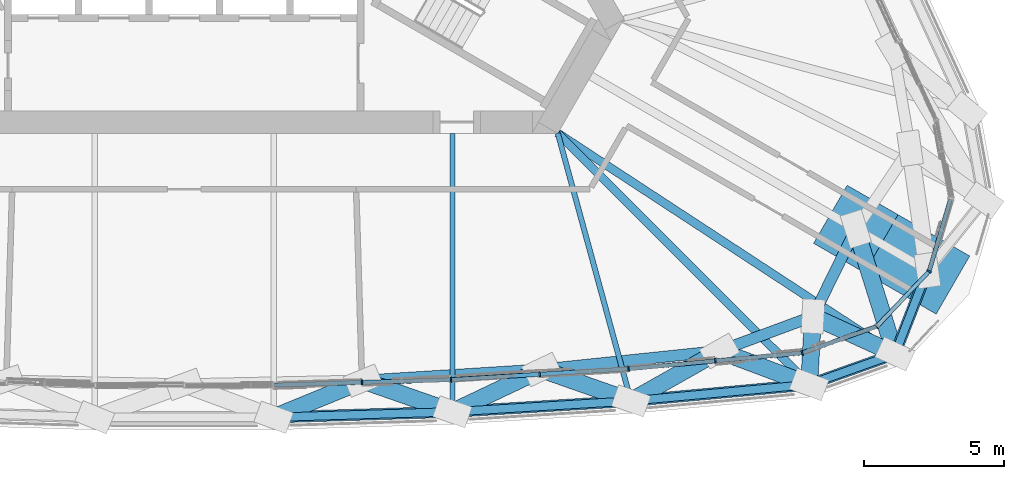
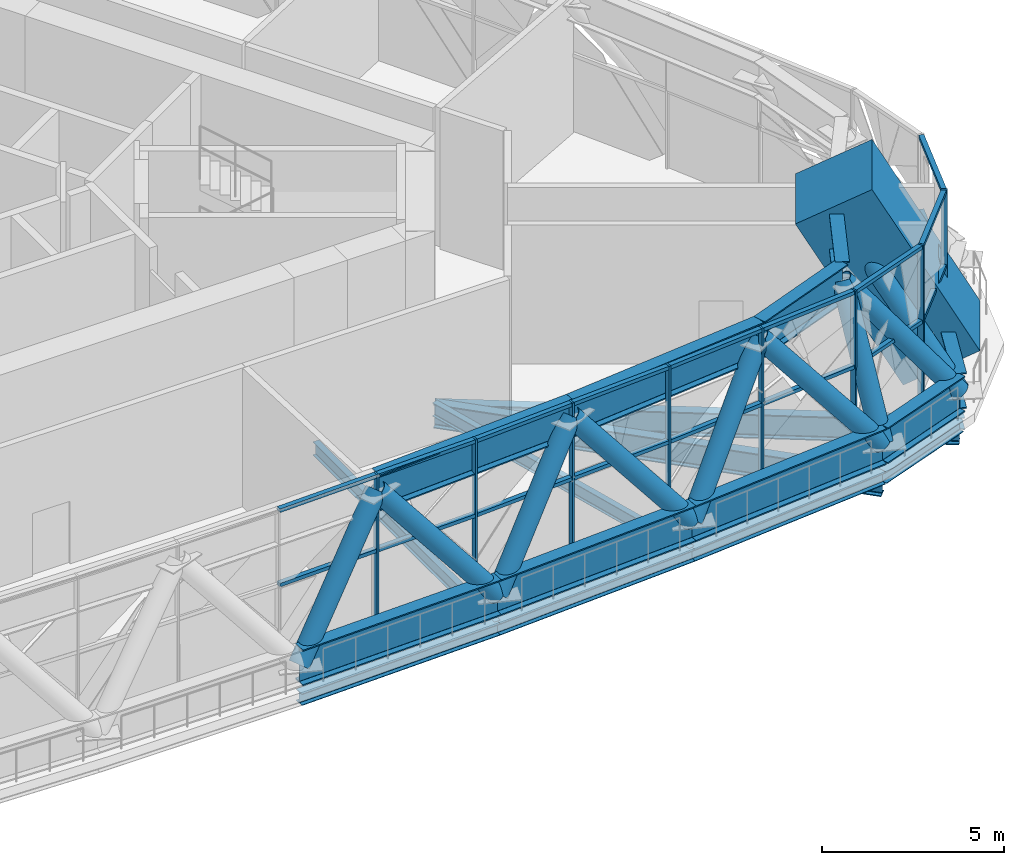
# One storey, part 5 of 35: 45 members, 9 beams, 2 elements without a shape of their own.
"""IFC4 building model written with IfcOpenShell, lengths in metres."""

from ifc_helpers import new_model, si_unit, direction, frame, origin, origin_2d, place, context, subcontext, project, spatial, rectangle, hollow_circle, i_section, extrude, material, material_profile, profile_set, type_object, element, aggregate, save


model = new_model("IFC4")

# Units and contexts
model_context = context("Model", 3, precision=1e-05, world=origin(), true_north=direction((0.0, 1.0)))
body_context = subcontext(model_context, "Body", "Model", "MODEL_VIEW")
ifc_project = project(units=[si_unit("LENGTHUNIT", "METRE"), si_unit("AREAUNIT", "SQUARE_METRE"), si_unit("VOLUMEUNIT", "CUBIC_METRE"), si_unit("PLANEANGLEUNIT", "RADIAN"), si_unit("MASSUNIT", "GRAM", prefix="KILO")], contexts=[model_context])

# Site, building, storey
site_placement = place(None, origin())
site = spatial("IfcSite", under=ifc_project, at=site_placement, CompositionType="ELEMENT")
building_placement = place(site_placement, origin())
building = spatial("IfcBuilding", under=site, at=building_placement, Name="Mestral Congress Tower", CompositionType="ELEMENT")
storey_placement = place(building_placement, frame((0.0, 0.0, 196.199951171875)))
storey = spatial("IfcBuildingStorey", under=building, at=storey_placement, Name="L46", CompositionType="ELEMENT", Elevation=196.199951171875)

# Members
ifc_material_1 = material(Name="Steel S355", Category="steel")
ifc_material_profile_1 = material_profile(ifc_material_1, i_section(OverallWidth=0.39990234375, OverallDepth=1.199951171875, WebThickness=0.02001953125, FlangeThickness=0.0400390625, FilletRadius=0.010009765625, at=origin_2d()), Name="WPG 1200")
ifc_profile_set_1 = profile_set([ifc_material_profile_1], Name="Steel S355")
member_type_1 = type_object("IfcMemberType", Name="Belt chord WPG 1200 S355", PredefinedType="CHORD", material=ifc_profile_set_1)
member_1_placement = place(storey_placement, frame((3.199951171875, -20.608154296875, 0.60009765625), z_axis=(0.999534187957, 0.030518963031, 0.0), x_axis=(-0.030518963031, 0.999534187957, 0.0)))
element("IfcMember", 1, at=member_1_placement, inside=storey, type_object=member_type_1, Name="MB-L46-BC3-S04", PredefinedType="CHORD", context=body_context, shape_type="SweptSolid", body=[
    extrude(i_section(OverallWidth=0.39990234375, OverallDepth=1.199951171875, WebThickness=0.02001953125, FlangeThickness=0.0400390625, FilletRadius=0.010009765625, at=origin_2d()), origin(), (0.0, 0.0, 1.0), 6.399658203125),
])
member_2_placement = place(storey_placement, frame((9.5966796875, -20.412841796875, 0.60009765625), z_axis=(0.998137865433, 0.060998373661, 0.0), x_axis=(-0.060998373661, 0.998137865433, 0.0)))
element("IfcMember", 2, at=member_2_placement, inside=storey, type_object=member_type_1, Name="MB-L46-BC3-S05", PredefinedType="CHORD", context=body_context, shape_type="SweptSolid", body=[
    extrude(i_section(OverallWidth=0.39990234375, OverallDepth=1.199951171875, WebThickness=0.02001953125, FlangeThickness=0.0400390625, FilletRadius=0.010009765625, at=origin_2d()), origin(), (0.0, 0.0, 1.0), 6.39990234375),
])
member_3_placement = place(storey_placement, frame((15.984619140625, -20.0224609375, 0.60009765625), z_axis=(0.995810239959, 0.09144378597, 0.0), x_axis=(-0.09144378597, 0.995810239959, 0.0)))
element("IfcMember", 3, at=member_3_placement, inside=storey, type_object=member_type_1, Name="MB-L46-BC3-S06", PredefinedType="CHORD", context=body_context, shape_type="SweptSolid", body=[
    extrude(i_section(OverallWidth=0.39990234375, OverallDepth=1.199951171875, WebThickness=0.02001953125, FlangeThickness=0.0400390625, FilletRadius=0.010009765625, at=origin_2d()), origin(), (0.0, 0.0, 1.0), 6.399658203125),
])
member_4_placement = place(storey_placement, frame((22.357421875, -19.437255859375, 0.60009765625), z_axis=(0.942103834289, 0.335321286855, 0.0), x_axis=(-0.335321286855, 0.942103834289, 0.0)))
element("IfcMember", 4, at=member_4_placement, inside=storey, type_object=member_type_1, Name="MB-L46-BC3-S07", PredefinedType="CHORD", context=body_context, shape_type="SweptSolid", body=[
    extrude(i_section(OverallWidth=0.39990234375, OverallDepth=1.199951171875, WebThickness=0.02001953125, FlangeThickness=0.0400390625, FilletRadius=0.010009765625, at=origin_2d()), origin(), (0.0, 0.0, 1.0), 3.260986328125),
])
member_5_placement = place(storey_placement, frame((25.4296875, -18.34375, 0.60009765625), z_axis=(0.361755943135, 0.932272834317, 0.0), x_axis=(-0.932272834317, 0.361755943135, 0.0)))
element("IfcMember", 5, at=member_5_placement, inside=storey, type_object=member_type_1, Name="MB-L46-BC3-SE1", PredefinedType="CHORD", context=body_context, shape_type="SweptSolid", body=[
    extrude(i_section(OverallWidth=0.39990234375, OverallDepth=1.199951171875, WebThickness=0.02001953125, FlangeThickness=0.0400390625, FilletRadius=0.010009765625, at=origin_2d()), origin(), (0.0, 0.0, 1.0), 3.208984375),
])
member_6_placement = place(storey_placement, frame((6.398193359375, -19.2978515625, 4.550048828125), z_axis=(0.998062363273, 0.062221531783, 0.0), x_axis=(-0.062221531783, 0.998062363273, 0.0)))
element("IfcMember", 6, at=member_6_placement, inside=storey, type_object=member_type_1, Name="MB-L46-TC3-S04", PredefinedType="CHORD", context=body_context, shape_type="SweptSolid", body=[
    extrude(i_section(OverallWidth=0.39990234375, OverallDepth=1.199951171875, WebThickness=0.02001953125, FlangeThickness=0.0400390625, FilletRadius=0.010009765625, at=origin_2d()), origin(), (0.0, 0.0, 1.0), 6.399658203125),
])
member_7_placement = place(storey_placement, frame((12.785400390625, -18.899658203125, 4.550048828125), z_axis=(0.99462127512, 0.103578564764, 0.0), x_axis=(-0.103578564764, 0.99462127512, 0.0)))
element("IfcMember", 7, at=member_7_placement, inside=storey, type_object=member_type_1, Name="MB-L46-TC3-S05", PredefinedType="CHORD", context=body_context, shape_type="SweptSolid", body=[
    extrude(i_section(OverallWidth=0.39990234375, OverallDepth=1.199951171875, WebThickness=0.02001953125, FlangeThickness=0.0400390625, FilletRadius=0.010009765625, at=origin_2d()), origin(), (0.0, 0.0, 1.0), 6.3994140625),
])
member_8_placement = place(storey_placement, frame((19.150390625, -18.23681640625, 4.550048828125), z_axis=(0.93759177789, 0.347737915725, 0.0), x_axis=(-0.347737915725, 0.93759177789, 0.0)))
element("IfcMember", 8, at=member_8_placement, inside=storey, type_object=member_type_1, Name="MB-L46-TC3-S06", PredefinedType="CHORD", context=body_context, shape_type="SweptSolid", body=[
    extrude(i_section(OverallWidth=0.39990234375, OverallDepth=1.199951171875, WebThickness=0.02001953125, FlangeThickness=0.0400390625, FilletRadius=0.010009765625, at=origin_2d()), origin(), (0.0, 0.0, 1.0), 3.566650390625),
])
member_9_placement = place(storey_placement, frame((22.494384765625, -16.99658203125, 4.550048828125), z_axis=(0.440494340717, 0.897755387506, 0.0), x_axis=(-0.897755387506, 0.440494340717, 0.0)))
element("IfcMember", 9, at=member_9_placement, inside=storey, type_object=member_type_1, Name="MB-L46-TC3-SE1", PredefinedType="CHORD", context=body_context, shape_type="SweptSolid", body=[
    extrude(i_section(OverallWidth=0.39990234375, OverallDepth=1.199951171875, WebThickness=0.02001953125, FlangeThickness=0.0400390625, FilletRadius=0.010009765625, at=origin_2d()), origin(), (0.0, 0.0, 1.0), 3.47998046875),
])
ifc_material_profile_2 = material_profile(ifc_material_1, hollow_circle(Radius=0.304931640625, WallThickness=0.02490234375, at=origin_2d()), Name="CHS 610x25")
ifc_profile_set_2 = profile_set([ifc_material_profile_2], Name="Steel S355")
member_type_2 = type_object("IfcMemberType", Name="Belt diagonal CHS 610x25 S355", PredefinedType="BRACE", material=ifc_profile_set_2)
member_10_placement = place(storey_placement, frame((3.199951171875, -20.608154296875, 0.60009765625), z_axis=(0.609351939197, 0.24964823341, 0.752572902616), x_axis=(-0.379111379688, 0.925351047868, 0.0)))
element("IfcMember", 10, at=member_10_placement, inside=storey, type_object=member_type_2, Name="MD-L46-BD3-S04.S04", PredefinedType="BRACE", context=body_context, shape_type="SweptSolid", body=[
    extrude(hollow_circle(Radius=0.304931640625, WallThickness=0.02490234375, at=origin_2d()), origin(), (0.0, 0.0, 1.0), 5.24853515625),
])
member_11_placement = place(storey_placement, frame((9.5966796875, -20.412841796875, 0.60009765625), z_axis=(-0.614688651421, 0.21428006038, 0.759105998881), x_axis=(-0.329171906414, -0.944270012246, 0.0)))
element("IfcMember", 11, at=member_11_placement, inside=storey, type_object=member_type_2, Name="MD-L46-BD3-S05.S04", PredefinedType="BRACE", context=body_context, shape_type="SweptSolid", body=[
    extrude(hollow_circle(Radius=0.304931640625, WallThickness=0.02490234375, at=origin_2d()), origin(), (0.0, 0.0, 1.0), 5.203369140625),
])
member_12_placement = place(storey_placement, frame((9.5966796875, -20.412841796875, 0.60009765625), z_axis=(0.601969325776, 0.285660047559, 0.74567504186), x_axis=(-0.428719573433, 0.903437616748, 0.0)))
element("IfcMember", 12, at=member_12_placement, inside=storey, type_object=member_type_2, Name="MD-L46-BD3-S05.S05", PredefinedType="BRACE", context=body_context, shape_type="SweptSolid", body=[
    extrude(hollow_circle(Radius=0.304931640625, WallThickness=0.02490234375, at=origin_2d()), origin(), (0.0, 0.0, 1.0), 5.297119140625),
])
member_13_placement = place(storey_placement, frame((15.984619140625, -20.0224609375, 0.60009765625), z_axis=(-0.614577863164, 0.215693192361, 0.758795424919), x_axis=(-0.331158574215, -0.943575115571, 0.0)))
element("IfcMember", 13, at=member_13_placement, inside=storey, type_object=member_type_2, Name="MD-L46-BD3-S06.S05", PredefinedType="BRACE", context=body_context, shape_type="SweptSolid", body=[
    extrude(hollow_circle(Radius=0.304931640625, WallThickness=0.02490234375, at=origin_2d()), origin(), (0.0, 0.0, 1.0), 5.20556640625),
])
member_14_placement = place(storey_placement, frame((15.984619140625, -20.0224609375, 0.60009765625), z_axis=(0.589776154354, 0.332661586561, 0.735867078067), x_axis=(-0.491284602897, 0.870999103878, 0.0)))
element("IfcMember", 14, at=member_14_placement, inside=storey, type_object=member_type_2, Name="MD-L46-BD3-S06.S06", PredefinedType="BRACE", context=body_context, shape_type="SweptSolid", body=[
    extrude(hollow_circle(Radius=0.304931640625, WallThickness=0.02490234375, at=origin_2d()), origin(), (0.0, 0.0, 1.0), 5.36767578125),
])
member_15_placement = place(storey_placement, frame((22.357421875, -19.437255859375, 0.60009765625), z_axis=(-0.613475933993, 0.229633158301, 0.755589763708), x_axis=(-0.350560826054, -0.936539965638, 0.0)))
element("IfcMember", 15, at=member_15_placement, inside=storey, type_object=member_type_2, Name="MD-L46-BD3-S07.S06", PredefinedType="BRACE", context=body_context, shape_type="SweptSolid", body=[
    extrude(hollow_circle(Radius=0.304931640625, WallThickness=0.02490234375, at=origin_2d()), origin(), (0.0, 0.0, 1.0), 5.2275390625),
])
member_16_placement = place(storey_placement, frame((22.357421875, -19.437255859375, 0.60009765625), z_axis=(0.029484903839, 0.525419935255, 0.850332012853), x_axis=(-0.998429159489, 0.056028684453, 0.0)))
element("IfcMember", 16, at=member_16_placement, inside=storey, type_object=member_type_2, Name="MD-L46-BD3-S07.SE1", PredefinedType="BRACE", context=body_context, shape_type="SweptSolid", body=[
    extrude(hollow_circle(Radius=0.304931640625, WallThickness=0.02490234375, at=origin_2d()), origin(), (0.0, 0.0, 1.0), 4.645263671875),
])
member_17_placement = place(storey_placement, frame((25.4296875, -18.34375, 0.60009765625), z_axis=(-0.575295496045, 0.264033980469, 0.77415834904), x_axis=(-0.417120575832, -0.908851156801, 0.0)))
element("IfcMember", 17, at=member_17_placement, inside=storey, type_object=member_type_2, Name="MD-L46-BD3-SE1.SE1", PredefinedType="BRACE", context=body_context, shape_type="SweptSolid", body=[
    extrude(hollow_circle(Radius=0.304931640625, WallThickness=0.02490234375, at=origin_2d()), origin(), (0.0, 0.0, 1.0), 5.102294921875),
])
member_18_placement = place(storey_placement, frame((25.4296875, -18.34375, 0.60009765625), z_axis=(-0.228811428269, 0.729575436758, 0.644488178614), x_axis=(-0.954174492685, -0.299250793665, 0.0)))
element("IfcMember", 18, at=member_18_placement, inside=storey, type_object=member_type_2, Name="MD-L46-BD3-SE1.SE", PredefinedType="BRACE", context=body_context, shape_type="SweptSolid", body=[
    extrude(hollow_circle(Radius=0.304931640625, WallThickness=0.02490234375, at=origin_2d()), origin(), (0.0, 0.0, 1.0), 6.12890625),
])

# Curtain wall, members
ifc_material_2 = material(Name="Clear low-emissivity double glazing", Category="glass")
curtain_wall_type = type_object("IfcCurtainWallType", Name="Facade refuge band screen", PredefinedType="USERDEFINED", material=ifc_material_2)
placement = place(storey_placement, origin())
curtain_wall_1 = element("IfcCurtainWall", 19, at=placement, inside=storey, type_object=curtain_wall_type, Name="Facade refuge band screen face 1", ObjectType="CURTAIN WALL", PredefinedType="USERDEFINED")
ifc_material_3 = material(Name="Anodised aluminium", Category="aluminium")
ifc_material_profile_3 = material_profile(ifc_material_3, rectangle(XDim=0.179931640625, YDim=0.06005859375, at=origin_2d()), Name="CW3 mullion 180 x 60")
ifc_profile_set_3 = profile_set([ifc_material_profile_3], Name="Anodised aluminium")
member_type_3 = type_object("IfcMemberType", Name="Facade refuge band screen mullion", PredefinedType="MULLION", material=ifc_profile_set_3)
member_19_placement = place(storey_placement, frame((6.36328125, -19.361083984375, 0.0), z_axis=(0.0, 0.0, 1.0), x_axis=(0.030519323537, -0.99953417695, 0.0)))
member_19 = element("IfcMember", 20, at=member_19_placement, type_object=member_type_3, Name="Facade refuge band screen mullion", PredefinedType="MULLION", context=body_context, shape_type="SweptSolid", body=[
    extrude(rectangle(XDim=0.179931640625, YDim=0.06005859375, at=origin_2d()), origin(), (0.0, 0.0, 1.0), 5.150146484375),
])
member_20_placement = place(storey_placement, frame((9.5439453125, -19.263916015625, 0.0), z_axis=(0.0, 0.0, 1.0), x_axis=(0.045770970953, -0.998951959915, 0.0)))
member_20 = element("IfcMember", 21, at=member_20_placement, type_object=member_type_3, Name="Facade refuge band screen mullion", PredefinedType="MULLION", context=body_context, shape_type="SweptSolid", body=[
    extrude(rectangle(XDim=0.179931640625, YDim=0.06005859375, at=origin_2d()), origin(), (0.0, 0.0, 1.0), 5.150146484375),
])
member_21_placement = place(storey_placement, frame((12.720458984375, -19.06982421875, 0.0), z_axis=(0.0, 0.0, 1.0), x_axis=(0.061011955943, -0.998137035297, 0.0)))
member_21 = element("IfcMember", 22, at=member_21_placement, type_object=member_type_3, Name="Facade refuge band screen mullion", PredefinedType="MULLION", context=body_context, shape_type="SweptSolid", body=[
    extrude(rectangle(XDim=0.179931640625, YDim=0.06005859375, at=origin_2d()), origin(), (0.0, 0.0, 1.0), 5.150146484375),
])
member_22_placement = place(storey_placement, frame((15.896728515625, -18.87548828125, 0.0), z_axis=(0.0, 0.0, 1.0), x_axis=(0.076236987842, -0.997089725995, 0.0)))
member_22 = element("IfcMember", 23, at=member_22_placement, type_object=member_type_3, Name="Facade refuge band screen mullion", PredefinedType="MULLION", context=body_context, shape_type="SweptSolid", body=[
    extrude(rectangle(XDim=0.179931640625, YDim=0.06005859375, at=origin_2d()), origin(), (0.0, 0.0, 1.0), 5.150146484375),
])
member_23_placement = place(storey_placement, frame((19.00244140625, -18.59033203125, 0.0), z_axis=(0.0, 0.0, 1.0), x_axis=(0.091446002282, -0.995810036436, 0.0)))
member_23 = element("IfcMember", 24, at=member_23_placement, type_object=member_type_3, Name="Facade refuge band screen mullion", PredefinedType="MULLION", context=body_context, shape_type="SweptSolid", body=[
    extrude(rectangle(XDim=0.179931640625, YDim=0.06005859375, at=origin_2d()), origin(), (0.0, 0.0, 1.0), 5.150146484375),
])

curtain_wall_2 = element("IfcCurtainWall", 25, at=placement, inside=storey, type_object=curtain_wall_type, Name="Facade refuge band screen corner 1", ObjectType="CURTAIN WALL", PredefinedType="USERDEFINED")
member_24_placement = place(storey_placement, frame((22.108154296875, -18.30517578125, 0.0), z_axis=(0.0, 0.0, 1.0), x_axis=(0.335301943281, -0.942110718988, 0.0)))
member_24 = element("IfcMember", 26, at=member_24_placement, type_object=member_type_3, Name="Facade refuge band screen mullion", PredefinedType="MULLION", context=body_context, shape_type="SweptSolid", body=[
    extrude(rectangle(XDim=0.179931640625, YDim=0.06005859375, at=origin_2d()), origin(), (0.0, 0.0, 1.0), 5.150146484375),
])
member_25_placement = place(storey_placement, frame((24.78466796875, -17.352783203125, 0.0), z_axis=(0.0, 0.0, 1.0), x_axis=(0.545525766518, -0.838094050847, 0.0)))
member_25 = element("IfcMember", 27, at=member_25_placement, type_object=member_type_3, Name="Facade refuge band screen mullion", PredefinedType="MULLION", context=body_context, shape_type="SweptSolid", body=[
    extrude(rectangle(XDim=0.179931640625, YDim=0.06005859375, at=origin_2d()), origin(), (0.0, 0.0, 1.0), 5.150146484375),
])
member_26_placement = place(storey_placement, frame((26.649169921875, -15.3857421875, 0.0), z_axis=(0.0, 0.0, 1.0), x_axis=(0.866025403784, -0.5, 0.0)))
member_26 = element("IfcMember", 28, at=member_26_placement, type_object=member_type_3, Name="Facade refuge band screen mullion", PredefinedType="MULLION", context=body_context, shape_type="SweptSolid", body=[
    extrude(rectangle(XDim=0.179931640625, YDim=0.06005859375, at=origin_2d()), origin(), (0.0, 0.0, 1.0), 5.150146484375),
])

# Member
ifc_material_profile_4 = material_profile(ifc_material_3, rectangle(XDim=0.14990234375, YDim=0.1201171875, at=origin_2d()), Name="CW3 transom 150 x 120")
ifc_profile_set_4 = profile_set([ifc_material_profile_4], Name="Anodised aluminium")
member_type_4 = type_object("IfcMemberType", Name="Facade refuge band screen transom", PredefinedType="USERDEFINED", material=ifc_profile_set_4)
member_27_placement = place(storey_placement, frame((3.21240234375, -19.457275390625, 2.60009765625), z_axis=(0.999534916873, 0.030495080778, 0.0), x_axis=(-0.030495080778, 0.999534916873, 0.0)))
member_27 = element("IfcMember", 29, at=member_27_placement, type_object=member_type_4, Name="Facade refuge band screen transom", ObjectType="TRANSOM", PredefinedType="USERDEFINED", context=body_context, shape_type="SweptSolid", body=[
    extrude(rectangle(XDim=0.14990234375, YDim=0.1201171875, at=origin_2d()), origin(), (0.0, 0.0, 1.0), 3.122314453125),
])

member_28_placement = place(storey_placement, frame((3.21240234375, -19.457275390625, 5.090087890625), z_axis=(0.999534916873, 0.030495080778, 0.0), x_axis=(-0.030495080778, 0.999534916873, 0.0)))
member_28 = element("IfcMember", 30, at=member_28_placement, type_object=member_type_4, Name="Facade refuge band screen transom", ObjectType="TRANSOM", PredefinedType="USERDEFINED", context=body_context, shape_type="SweptSolid", body=[
    extrude(rectangle(XDim=0.14990234375, YDim=0.1201171875, at=origin_2d()), origin(), (0.0, 0.0, 1.0), 3.122314453125),
])

member_29_placement = place(storey_placement, frame((6.39306640625, -19.360107421875, 2.60009765625), z_axis=(0.999534916873, 0.030495080778, 0.0), x_axis=(-0.030495080778, 0.999534916873, 0.0)))
member_29 = element("IfcMember", 31, at=member_29_placement, type_object=member_type_4, Name="Facade refuge band screen transom", ObjectType="TRANSOM", PredefinedType="USERDEFINED", context=body_context, shape_type="SweptSolid", body=[
    extrude(rectangle(XDim=0.14990234375, YDim=0.1201171875, at=origin_2d()), origin(), (0.0, 0.0, 1.0), 3.122314453125),
])

member_30_placement = place(storey_placement, frame((6.39306640625, -19.360107421875, 5.090087890625), z_axis=(0.999534916873, 0.030495080778, 0.0), x_axis=(-0.030495080778, 0.999534916873, 0.0)))
member_30 = element("IfcMember", 32, at=member_30_placement, type_object=member_type_4, Name="Facade refuge band screen transom", ObjectType="TRANSOM", PredefinedType="USERDEFINED", context=body_context, shape_type="SweptSolid", body=[
    extrude(rectangle(XDim=0.14990234375, YDim=0.1201171875, at=origin_2d()), origin(), (0.0, 0.0, 1.0), 3.122314453125),
])

member_31_placement = place(storey_placement, frame((9.573974609375, -19.26220703125, 2.60009765625), z_axis=(0.998133563437, 0.06106872801, 0.0), x_axis=(-0.06106872801, 0.998133563437, 0.0)))
member_31 = element("IfcMember", 33, at=member_31_placement, type_object=member_type_4, Name="Facade refuge band screen transom", ObjectType="TRANSOM", PredefinedType="USERDEFINED", context=body_context, shape_type="SweptSolid", body=[
    extrude(rectangle(XDim=0.14990234375, YDim=0.1201171875, at=origin_2d()), origin(), (0.0, 0.0, 1.0), 3.122314453125),
])

member_32_placement = place(storey_placement, frame((9.573974609375, -19.26220703125, 5.090087890625), z_axis=(0.998133563437, 0.06106872801, 0.0), x_axis=(-0.06106872801, 0.998133563437, 0.0)))
member_32 = element("IfcMember", 34, at=member_32_placement, type_object=member_type_4, Name="Facade refuge band screen transom", ObjectType="TRANSOM", PredefinedType="USERDEFINED", context=body_context, shape_type="SweptSolid", body=[
    extrude(rectangle(XDim=0.14990234375, YDim=0.1201171875, at=origin_2d()), origin(), (0.0, 0.0, 1.0), 3.122314453125),
])

member_33_placement = place(storey_placement, frame((12.750244140625, -19.068115234375, 2.60009765625), z_axis=(0.998133563437, 0.06106872801, 0.0), x_axis=(-0.06106872801, 0.998133563437, 0.0)))
member_33 = element("IfcMember", 35, at=member_33_placement, type_object=member_type_4, Name="Facade refuge band screen transom", ObjectType="TRANSOM", PredefinedType="USERDEFINED", context=body_context, shape_type="SweptSolid", body=[
    extrude(rectangle(XDim=0.14990234375, YDim=0.1201171875, at=origin_2d()), origin(), (0.0, 0.0, 1.0), 3.122314453125),
])

member_34_placement = place(storey_placement, frame((12.750244140625, -19.068115234375, 5.090087890625), z_axis=(0.998133563437, 0.06106872801, 0.0), x_axis=(-0.06106872801, 0.998133563437, 0.0)))
member_34 = element("IfcMember", 36, at=member_34_placement, type_object=member_type_4, Name="Facade refuge band screen transom", ObjectType="TRANSOM", PredefinedType="USERDEFINED", context=body_context, shape_type="SweptSolid", body=[
    extrude(rectangle(XDim=0.14990234375, YDim=0.1201171875, at=origin_2d()), origin(), (0.0, 0.0, 1.0), 3.122314453125),
])

member_35_placement = place(storey_placement, frame((15.9267578125, -18.872802734375, 2.60009765625), z_axis=(0.995814982533, 0.091392125281, 0.0), x_axis=(-0.091392125281, 0.995814982533, 0.0)))
member_35 = element("IfcMember", 37, at=member_35_placement, type_object=member_type_4, Name="Facade refuge band screen transom", ObjectType="TRANSOM", PredefinedType="USERDEFINED", context=body_context, shape_type="SweptSolid", body=[
    extrude(rectangle(XDim=0.14990234375, YDim=0.1201171875, at=origin_2d()), origin(), (0.0, 0.0, 1.0), 3.05859375),
])

member_36_placement = place(storey_placement, frame((15.9267578125, -18.872802734375, 5.090087890625), z_axis=(0.995814982533, 0.091392125281, 0.0), x_axis=(-0.091392125281, 0.995814982533, 0.0)))
member_36 = element("IfcMember", 38, at=member_36_placement, type_object=member_type_4, Name="Facade refuge band screen transom", ObjectType="TRANSOM", PredefinedType="USERDEFINED", context=body_context, shape_type="SweptSolid", body=[
    extrude(rectangle(XDim=0.14990234375, YDim=0.1201171875, at=origin_2d()), origin(), (0.0, 0.0, 1.0), 3.05859375),
])

member_37_placement = place(storey_placement, frame((19.0322265625, -18.587646484375, 2.60009765625), z_axis=(0.995815649139, 0.091384861606, 0.0), x_axis=(-0.091384861606, 0.995815649139, 0.0)))
member_37 = element("IfcMember", 39, at=member_37_placement, type_object=member_type_4, Name="Facade refuge band screen transom", ObjectType="TRANSOM", PredefinedType="USERDEFINED", context=body_context, shape_type="SweptSolid", body=[
    extrude(rectangle(XDim=0.14990234375, YDim=0.1201171875, at=origin_2d()), origin(), (0.0, 0.0, 1.0), 3.058837890625),
])

member_38_placement = place(storey_placement, frame((19.0322265625, -18.587646484375, 5.090087890625), z_axis=(0.995815649139, 0.091384861606, 0.0), x_axis=(-0.091384861606, 0.995815649139, 0.0)))
member_38 = element("IfcMember", 40, at=member_38_placement, type_object=member_type_4, Name="Facade refuge band screen transom", ObjectType="TRANSOM", PredefinedType="USERDEFINED", context=body_context, shape_type="SweptSolid", body=[
    extrude(rectangle(XDim=0.14990234375, YDim=0.1201171875, at=origin_2d()), origin(), (0.0, 0.0, 1.0), 3.058837890625),
])

aggregate(curtain_wall_1, [member_19, member_20, member_21, member_22, member_23, member_27, member_28, member_29, member_30, member_31, member_32, member_33, member_34, member_35, member_36, member_37, member_38])

member_39_placement = place(storey_placement, frame((22.136474609375, -18.295166015625, 2.60009765625), z_axis=(0.942116733429, 0.335285043795, 0.0), x_axis=(-0.335285043795, 0.942116733429, 0.0)))
member_39 = element("IfcMember", 41, at=member_39_placement, type_object=member_type_4, Name="Facade refuge band screen transom", ObjectType="TRANSOM", PredefinedType="USERDEFINED", context=body_context, shape_type="SweptSolid", body=[
    extrude(rectangle(XDim=0.14990234375, YDim=0.1201171875, at=origin_2d()), origin(), (0.0, 0.0, 1.0), 2.78076171875),
])

member_40_placement = place(storey_placement, frame((22.136474609375, -18.295166015625, 5.090087890625), z_axis=(0.942116733429, 0.335285043795, 0.0), x_axis=(-0.335285043795, 0.942116733429, 0.0)))
member_40 = element("IfcMember", 42, at=member_40_placement, type_object=member_type_4, Name="Facade refuge band screen transom", ObjectType="TRANSOM", PredefinedType="USERDEFINED", context=body_context, shape_type="SweptSolid", body=[
    extrude(rectangle(XDim=0.14990234375, YDim=0.1201171875, at=origin_2d()), origin(), (0.0, 0.0, 1.0), 2.78076171875),
])

member_41_placement = place(storey_placement, frame((24.80517578125, -17.330810546875, 2.60009765625), z_axis=(0.68801547121, 0.725696018575, 0.0), x_axis=(-0.725696018575, 0.68801547121, 0.0)))
member_41 = element("IfcMember", 43, at=member_41_placement, type_object=member_type_4, Name="Facade refuge band screen transom", ObjectType="TRANSOM", PredefinedType="USERDEFINED", context=body_context, shape_type="SweptSolid", body=[
    extrude(rectangle(XDim=0.14990234375, YDim=0.1201171875, at=origin_2d()), origin(), (0.0, 0.0, 1.0), 2.64990234375),
])

member_42_placement = place(storey_placement, frame((24.80517578125, -17.330810546875, 5.090087890625), z_axis=(0.68801547121, 0.725696018575, 0.0), x_axis=(-0.725696018575, 0.68801547121, 0.0)))
member_42 = element("IfcMember", 44, at=member_42_placement, type_object=member_type_4, Name="Facade refuge band screen transom", ObjectType="TRANSOM", PredefinedType="USERDEFINED", context=body_context, shape_type="SweptSolid", body=[
    extrude(rectangle(XDim=0.14990234375, YDim=0.1201171875, at=origin_2d()), origin(), (0.0, 0.0, 1.0), 2.64990234375),
])

member_43_placement = place(storey_placement, frame((26.65771484375, -15.357177734375, 2.60009765625), z_axis=(0.284464684641, 0.958686519772, 0.0), x_axis=(-0.958686519772, 0.284464684641, 0.0)))
member_43 = element("IfcMember", 45, at=member_43_placement, type_object=member_type_4, Name="Facade refuge band screen transom", ObjectType="TRANSOM", PredefinedType="USERDEFINED", context=body_context, shape_type="SweptSolid", body=[
    extrude(rectangle(XDim=0.14990234375, YDim=0.1201171875, at=origin_2d()), origin(), (0.0, 0.0, 1.0), 2.650146484375),
])

member_44_placement = place(storey_placement, frame((26.65771484375, -15.357177734375, 5.090087890625), z_axis=(0.284464684641, 0.958686519772, 0.0), x_axis=(-0.958686519772, 0.284464684641, 0.0)))
member_44 = element("IfcMember", 46, at=member_44_placement, type_object=member_type_4, Name="Facade refuge band screen transom", ObjectType="TRANSOM", PredefinedType="USERDEFINED", context=body_context, shape_type="SweptSolid", body=[
    extrude(rectangle(XDim=0.14990234375, YDim=0.1201171875, at=origin_2d()), origin(), (0.0, 0.0, 1.0), 2.650146484375),
])

aggregate(curtain_wall_2, [member_24, member_25, member_26, member_39, member_40, member_41, member_42, member_43, member_44])

# Beams
ifc_material_profile_5 = material_profile(ifc_material_1, i_section(OverallWidth=0.300048828125, OverallDepth=0.800048828125, WebThickness=0.017578125, FlangeThickness=0.032958984375, FilletRadius=0.030029296875, at=origin_2d()), Name="HEB 800")
ifc_profile_set_5 = profile_set([ifc_material_profile_5], Name="Steel S355")
beam_type_1 = type_object("IfcBeamType", Name="Floor beam HEB 800 S355", PredefinedType="BEAM", material=ifc_profile_set_5)
beam_1_placement = place(storey_placement, frame((22.357421875, -19.437255859375, -0.699951171875), z_axis=(-0.707279595154, 0.706933924974, 0.0), x_axis=(-0.706933924974, -0.707279595154, 0.0)))
element("IfcBeam", 47, at=beam_1_placement, inside=storey, type_object=beam_type_1, Name="BM-L46-RB3-S07", PredefinedType="BEAM", context=body_context, shape_type="SweptSolid", body=[
    extrude(i_section(OverallWidth=0.300048828125, OverallDepth=0.800048828125, WebThickness=0.017578125, FlangeThickness=0.032958984375, FilletRadius=0.030029296875, at=origin_2d()), origin(), (0.0, 0.0, 1.0), 12.713134765625),
])
beam_2_placement = place(storey_placement, frame((25.4296875, -18.34375, -0.699951171875), z_axis=(-0.836784606531, 0.547532211174, 0.0), x_axis=(-0.547532211174, -0.836784606531, 0.0)))
element("IfcBeam", 48, at=beam_2_placement, inside=storey, type_object=beam_type_1, Name="BM-L46-RB3-SE1", PredefinedType="BEAM", context=body_context, shape_type="SweptSolid", body=[
    extrude(i_section(OverallWidth=0.300048828125, OverallDepth=0.800048828125, WebThickness=0.017578125, FlangeThickness=0.032958984375, FilletRadius=0.030029296875, at=origin_2d()), origin(), (0.0, 0.0, 1.0), 14.4169921875),
])
ifc_material_profile_6 = material_profile(ifc_material_1, i_section(OverallWidth=0.18994140625, OverallDepth=0.449951171875, WebThickness=0.009521484375, FlangeThickness=0.0146484375, FilletRadius=0.02099609375, at=origin_2d()), Name="IPE 450")
ifc_profile_set_6 = profile_set([ifc_material_profile_6], Name="Steel S355")
beam_type_2 = type_object("IfcBeamType", Name="Floor beam IPE 450 S355", PredefinedType="BEAM", material=ifc_profile_set_6)
beam_3_placement = place(storey_placement, frame((9.5966796875, -20.412841796875, -0.52490234375), z_axis=(0.0, 1.0, 0.0), x_axis=(-1.0, 0.0, 0.0)))
element("IfcBeam", 49, at=beam_3_placement, inside=storey, type_object=beam_type_2, Name="BM-L46-RB3-S05", PredefinedType="BEAM", context=body_context, shape_type="SweptSolid", body=[
    extrude(i_section(OverallWidth=0.18994140625, OverallDepth=0.449951171875, WebThickness=0.009521484375, FlangeThickness=0.0146484375, FilletRadius=0.02099609375, at=origin_2d()), origin(), (0.0, 0.0, 1.0), 9.962890625),
])
beam_4_placement = place(storey_placement, frame((15.984619140625, -20.0224609375, -0.52490234375), z_axis=(-0.263887500815, 0.964553465036, 0.0), x_axis=(-0.964553465036, -0.263887500815, 0.0)))
element("IfcBeam", 50, at=beam_4_placement, inside=storey, type_object=beam_type_2, Name="BM-L46-RB3-S06", PredefinedType="BEAM", context=body_context, shape_type="SweptSolid", body=[
    extrude(i_section(OverallWidth=0.18994140625, OverallDepth=0.449951171875, WebThickness=0.009521484375, FlangeThickness=0.0146484375, FilletRadius=0.02099609375, at=origin_2d()), origin(), (0.0, 0.0, 1.0), 9.92431640625),
])

# Member
ifc_material_4 = material(Name="Concrete C70/85", Category="concrete")
ifc_material_profile_7 = material_profile(ifc_material_4, rectangle(XDim=2.39990234375, YDim=2.39990234375, at=origin_2d()), Name="RC 2400x2400")
ifc_profile_set_7 = profile_set([ifc_material_profile_7], Name="Concrete C70/85")
member_type_5 = type_object("IfcMemberType", Name="Pylon shift strut RC 2400x2400 C70/85", PredefinedType="STRUT", material=ifc_profile_set_7)
member_45_placement = place(storey_placement, frame((26.590576171875, -15.35205078125, 0.0), z_axis=(-0.416242118758, 0.240293692903, 0.876927271627), x_axis=(-0.499962850249, -0.866046851141, 0.0)))
element("IfcMember", 51, at=member_45_placement, inside=storey, type_object=member_type_5, Name="MS-L46-PS3-SE", PredefinedType="STRUT", context=body_context, shape_type="SweptSolid", body=[
    extrude(rectangle(XDim=2.39990234375, YDim=2.39990234375, at=origin_2d()), origin(), (0.0, 0.0, 1.0), 6.157958984375),
])

# Beams
ifc_material_profile_8 = material_profile(ifc_material_1, i_section(OverallWidth=0.300048828125, OverallDepth=0.389892578125, WebThickness=0.010986328125, FlangeThickness=0.01904296875, FilletRadius=0.027099609375, at=origin_2d()), Name="HEA 400")
ifc_profile_set_8 = profile_set([ifc_material_profile_8], Name="Steel S355")
beam_type_3 = type_object("IfcBeamType", Name="Spandrel beam HEA 400 S355", PredefinedType="BEAM", material=ifc_profile_set_8)
beam_5_placement = place(storey_placement, frame((3.199951171875, -20.608154296875, -0.494873046875), z_axis=(0.999534187957, 0.030518963031, 0.0), x_axis=(-0.030518963031, 0.999534187957, 0.0)))
element("IfcBeam", 52, at=beam_5_placement, inside=storey, type_object=beam_type_3, Name="SP-L46-SB3-S04", PredefinedType="BEAM", context=body_context, shape_type="SweptSolid", body=[
    extrude(i_section(OverallWidth=0.300048828125, OverallDepth=0.389892578125, WebThickness=0.010986328125, FlangeThickness=0.01904296875, FilletRadius=0.027099609375, at=origin_2d()), origin(), (0.0, 0.0, 1.0), 6.399658203125),
])
beam_6_placement = place(storey_placement, frame((9.5966796875, -20.412841796875, -0.494873046875), z_axis=(0.998137865433, 0.060998373661, 0.0), x_axis=(-0.060998373661, 0.998137865433, 0.0)))
element("IfcBeam", 53, at=beam_6_placement, inside=storey, type_object=beam_type_3, Name="SP-L46-SB3-S05", PredefinedType="BEAM", context=body_context, shape_type="SweptSolid", body=[
    extrude(i_section(OverallWidth=0.300048828125, OverallDepth=0.389892578125, WebThickness=0.010986328125, FlangeThickness=0.01904296875, FilletRadius=0.027099609375, at=origin_2d()), origin(), (0.0, 0.0, 1.0), 6.39990234375),
])
beam_7_placement = place(storey_placement, frame((15.984619140625, -20.0224609375, -0.494873046875), z_axis=(0.995810239959, 0.09144378597, 0.0), x_axis=(-0.09144378597, 0.995810239959, 0.0)))
element("IfcBeam", 54, at=beam_7_placement, inside=storey, type_object=beam_type_3, Name="SP-L46-SB3-S06", PredefinedType="BEAM", context=body_context, shape_type="SweptSolid", body=[
    extrude(i_section(OverallWidth=0.300048828125, OverallDepth=0.389892578125, WebThickness=0.010986328125, FlangeThickness=0.01904296875, FilletRadius=0.027099609375, at=origin_2d()), origin(), (0.0, 0.0, 1.0), 6.399658203125),
])
beam_8_placement = place(storey_placement, frame((22.357421875, -19.437255859375, -0.494873046875), z_axis=(0.942103834289, 0.335321286855, 0.0), x_axis=(-0.335321286855, 0.942103834289, 0.0)))
element("IfcBeam", 55, at=beam_8_placement, inside=storey, type_object=beam_type_3, Name="SP-L46-SB3-S07", PredefinedType="BEAM", context=body_context, shape_type="SweptSolid", body=[
    extrude(i_section(OverallWidth=0.300048828125, OverallDepth=0.389892578125, WebThickness=0.010986328125, FlangeThickness=0.01904296875, FilletRadius=0.027099609375, at=origin_2d()), origin(), (0.0, 0.0, 1.0), 3.260986328125),
])
beam_9_placement = place(storey_placement, frame((25.4296875, -18.34375, -0.494873046875), z_axis=(0.361755943135, 0.932272834317, 0.0), x_axis=(-0.932272834317, 0.361755943135, 0.0)))
element("IfcBeam", 56, at=beam_9_placement, inside=storey, type_object=beam_type_3, Name="SP-L46-SB3-SE1", PredefinedType="BEAM", context=body_context, shape_type="SweptSolid", body=[
    extrude(i_section(OverallWidth=0.300048828125, OverallDepth=0.389892578125, WebThickness=0.010986328125, FlangeThickness=0.01904296875, FilletRadius=0.027099609375, at=origin_2d()), origin(), (0.0, 0.0, 1.0), 3.208984375),
])

save(model, "model.ifc")
